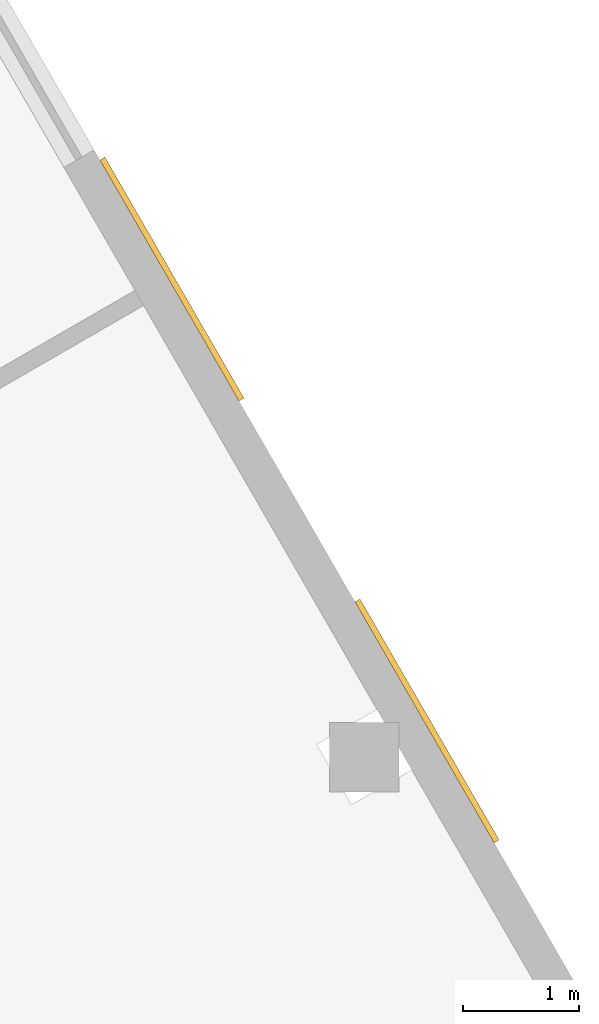
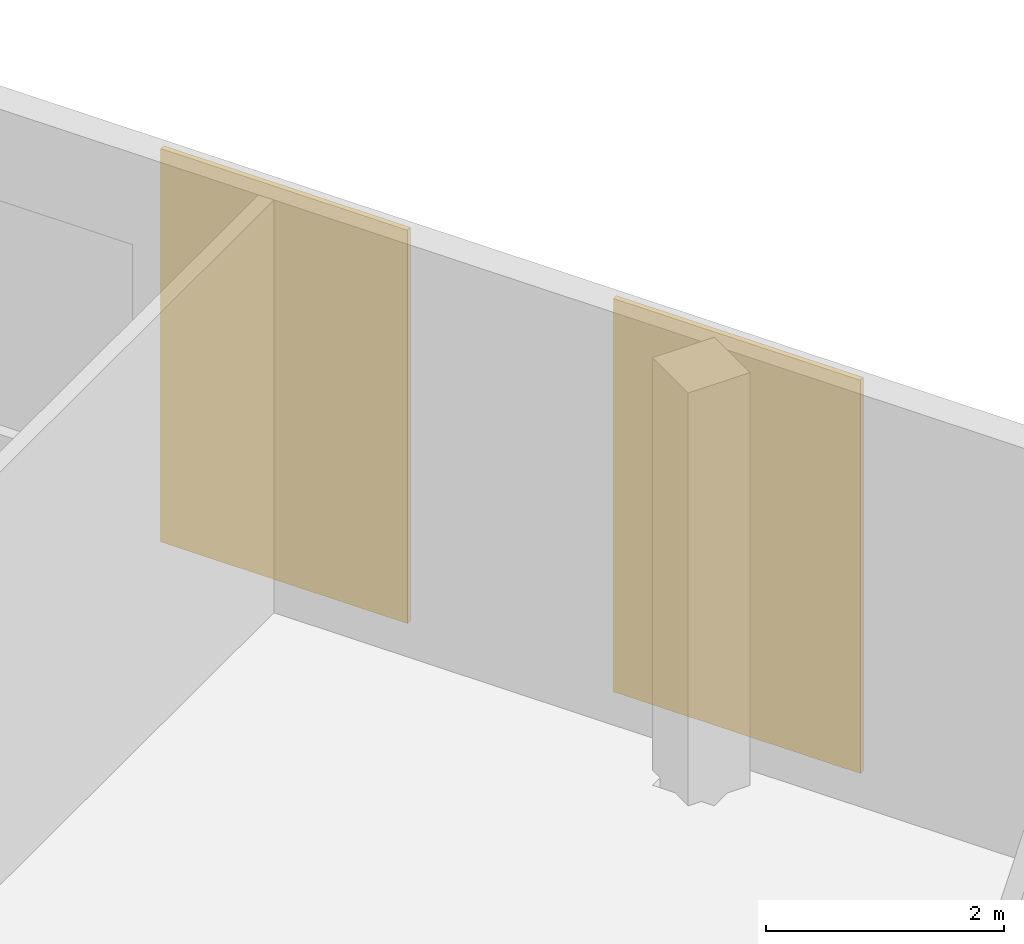
# One storey, part 29 of 30: 2 coverings.
"""IFC4 building model written with IfcOpenShell, lengths in metres."""

from ifc_helpers import new_model, si_unit, direction, frame, origin, origin_2d, place, context, subcontext, project, spatial, rectangle, extrude, material, layer, layer_set, type_object, element, save


model = new_model("IFC4")

# Units and contexts
model_context = context("Model", 3, precision=1e-05, world=origin(), true_north=direction((0.0, 1.0)))
body_context = subcontext(model_context, "Body", "Model", "MODEL_VIEW")
ifc_project = project(units=[si_unit("LENGTHUNIT", "METRE"), si_unit("AREAUNIT", "SQUARE_METRE"), si_unit("VOLUMEUNIT", "CUBIC_METRE"), si_unit("PLANEANGLEUNIT", "RADIAN"), si_unit("MASSUNIT", "GRAM", prefix="KILO")], contexts=[model_context])

# Site, building, storey
site_placement = place(None, origin())
site = spatial("IfcSite", under=ifc_project, at=site_placement, CompositionType="ELEMENT")
building_placement = place(site_placement, origin())
building = spatial("IfcBuilding", under=site, at=building_placement, Name="Firuza Gate Tower and Library", CompositionType="ELEMENT")
storey_placement = place(building_placement, frame((0.0, 0.0, 12.60009765625)))
storey = spatial("IfcBuildingStorey", under=building, at=storey_placement, Name="L02", CompositionType="ELEMENT", Elevation=12.60009765625)

# Coverings
ifc_material_1 = material(Name="Turquoise glazed ceramic tile")
ifc_layer_1 = layer(ifc_material_1, 0.050048828125)
ifc_layer_set_1 = layer_set([ifc_layer_1], Name="LIB TILE CLADDING")
covering_type_1 = type_object("IfcCoveringType", Name="LIB TILE CLADDING", PredefinedType="CLADDING", material=ifc_layer_set_1)
covering_1_placement = place(storey_placement, frame((108.435302734375, 119.70751953125, 0.099853515625), z_axis=(0.0, 0.0, 1.0), x_axis=(-0.5, 0.866025403784, 0.0)))
element("IfcCovering", 1, at=covering_1_placement, inside=storey, type_object=covering_type_1, Name="L02 TILE panel 11", PredefinedType="CLADDING", context=body_context, shape_type="SweptSolid", body=[
    extrude(rectangle(XDim=2.39990234375, YDim=0.050048828125, at=origin_2d()), origin(), (0.0, 0.0, 1.0), 4.0400390625),
])
ifc_material_2 = material(Name="Cobalt glazed ceramic tile")
ifc_layer_2 = layer(ifc_material_2, 0.050048828125)
ifc_layer_set_2 = layer_set([ifc_layer_2], Name="LIB TILE CLADDING COBALT")
covering_type_2 = type_object("IfcCoveringType", Name="LIB TILE CLADDING COBALT", PredefinedType="CLADDING", material=ifc_layer_set_2)
covering_2_placement = place(storey_placement, frame((110.635498046875, 115.89697265625, 0.099853515625), z_axis=(0.0, 0.0, 1.0), x_axis=(-0.5, 0.866025403784, 0.0)))
element("IfcCovering", 2, at=covering_2_placement, inside=storey, type_object=covering_type_2, Name="L02 TILE panel 10", PredefinedType="CLADDING", context=body_context, shape_type="SweptSolid", body=[
    extrude(rectangle(XDim=2.39990234375, YDim=0.050048828125, at=origin_2d()), origin(), (0.0, 0.0, 1.0), 4.0400390625),
])

save(model, "model.ifc")
